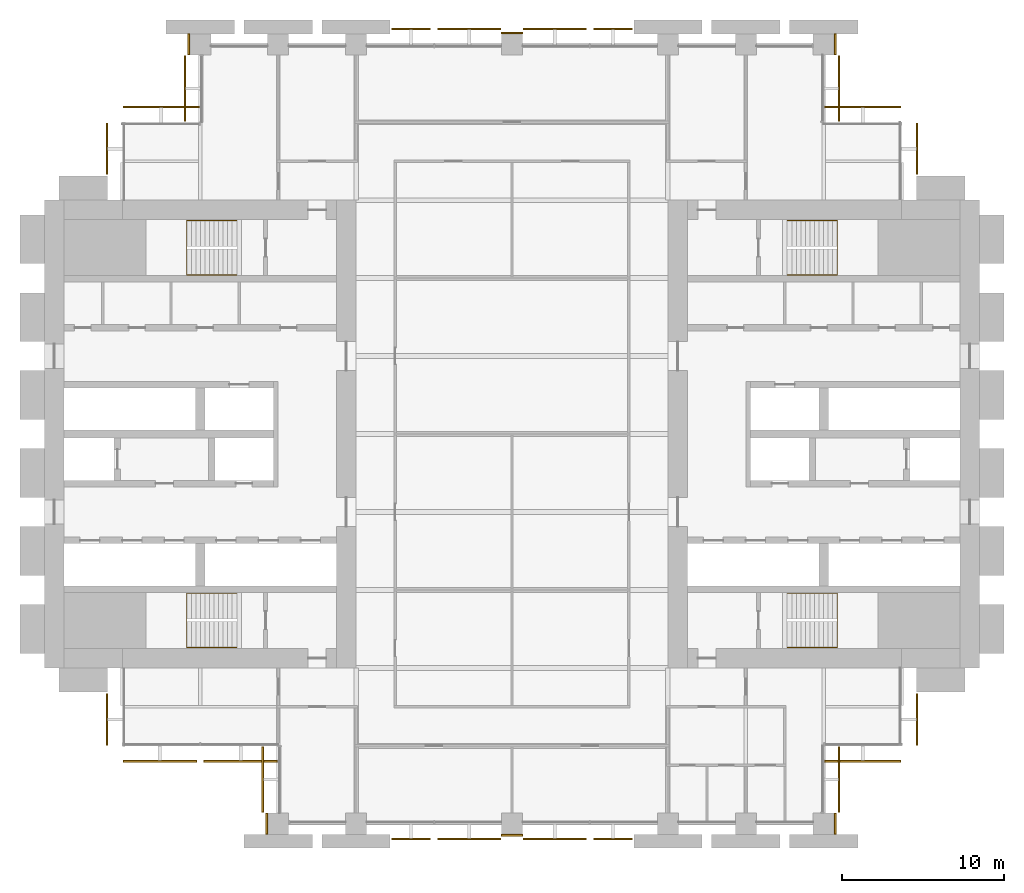
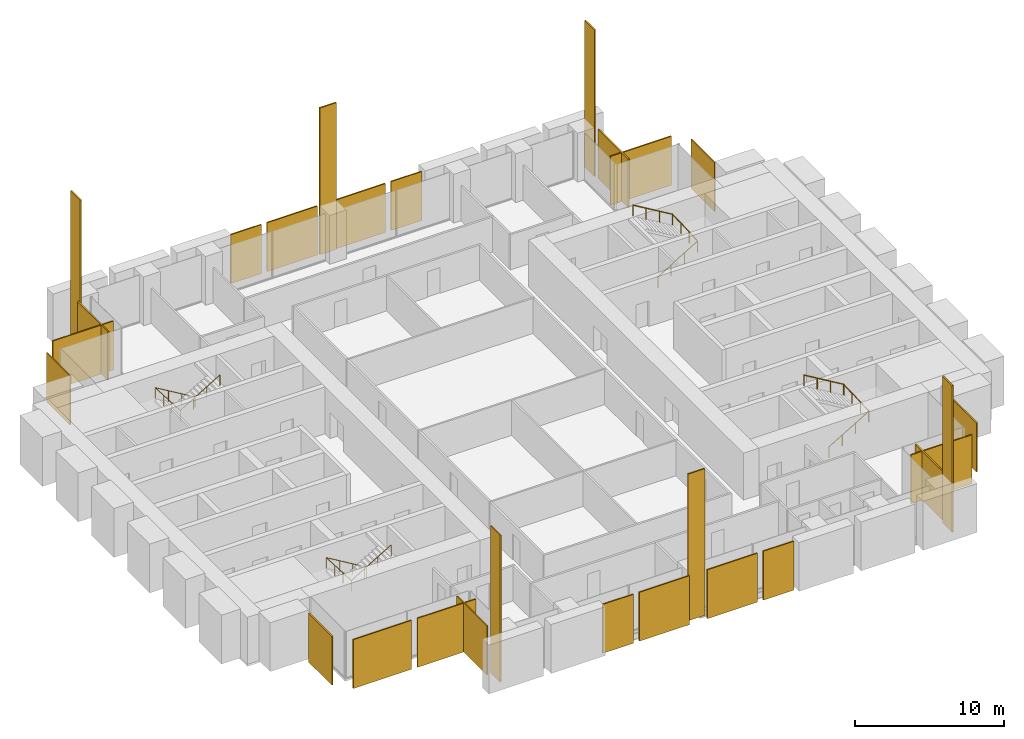
# One storey, part 14 of 14: 27 coverings, 4 railings.
"""IFC4 building model written with IfcOpenShell, lengths in metres."""

from ifc_helpers import new_model, si_unit, direction, frame, origin, origin_2d, place, context, subcontext, project, spatial, polyline, rectangle, circle, outline, extrude, material, layer, layer_set, type_object, element, save


model = new_model("IFC4")

# Units and contexts
model_context = context("Model", 3, precision=1e-05, world=origin(), true_north=direction((0.0, 1.0)))
body_context = subcontext(model_context, "Body", "Model", "MODEL_VIEW")
ifc_project = project(units=[si_unit("LENGTHUNIT", "METRE"), si_unit("AREAUNIT", "SQUARE_METRE"), si_unit("VOLUMEUNIT", "CUBIC_METRE"), si_unit("PLANEANGLEUNIT", "RADIAN"), si_unit("MASSUNIT", "GRAM", prefix="KILO")], contexts=[model_context])

# Site, building, storey
site_placement = place(None, origin())
site = spatial("IfcSite", under=ifc_project, at=site_placement, CompositionType="ELEMENT")
building_placement = place(site_placement, origin())
building = spatial("IfcBuilding", under=site, at=building_placement, Name="Baori Bourse Tower", CompositionType="ELEMENT")
storey_placement = place(building_placement, frame((0.0, 0.0, 39.0)))
storey = spatial("IfcBuildingStorey", under=building, at=storey_placement, Name="L07", CompositionType="ELEMENT", Elevation=39.0)

# Railings
ifc_material_1 = material(Name="Powder-coated steel balustrade", Category="steel")
railing_type = type_object("IfcRailingType", Name="Core stair handrail", PredefinedType="HANDRAIL", material=ifc_material_1)
railing_1_placement = place(storey_placement, frame((11.85009765625, 14.199951171875, 0.166748046875)))
element("IfcRailing", 1, at=railing_1_placement, inside=storey, type_object=railing_type, Name="L07 ST1 stair handrail 1", PredefinedType="HANDRAIL", context=body_context, shape_type="SweptSolid", body=[
    extrude(circle(Radius=0.02392578125, at=origin_2d()), frame((0.0, 0.0, 0.8759765625), z_axis=(-0.859308565015, 0.0, 0.511457515432), x_axis=(0.0, -1.0, 0.0)), (0.0, 0.0, 1.0), 3.58447265625),
    extrude(circle(Radius=0.02392578125, at=origin_2d()), frame((-3.080078125, 0.0, 2.708984375), z_axis=(0.0, -0.998763387249, 0.04971615724), x_axis=(1.0, 0.0, 0.0)), (0.0, 0.0, 1.0), 3.35400390625),
    extrude(circle(Radius=0.02392578125, at=origin_2d()), frame((-3.080078125, -3.349853515625, 2.8759765625), z_axis=(0.859308565015, 0.0, 0.511457515432), x_axis=(0.0, 1.0, 0.0)), (0.0, 0.0, 1.0), 3.58447265625),
    extrude(circle(Radius=0.02099609375, at=origin_2d()), origin(), (0.0, 0.0, 1.0), 0.851806640625),
    extrude(circle(Radius=0.02099609375, at=origin_2d()), frame((-1.026611328125, 0.0, 0.611083984375)), (0.0, 0.0, 1.0), 0.851806640625),
    extrude(circle(Radius=0.02099609375, at=origin_2d()), frame((-2.053466796875, 0.0, 1.22216796875)), (0.0, 0.0, 1.0), 0.851806640625),
    extrude(circle(Radius=0.02099609375, at=origin_2d()), frame((-3.080078125, 0.0, 1.833251953125)), (0.0, 0.0, 1.0), 0.851806640625),
    extrude(circle(Radius=0.02099609375, at=origin_2d()), frame((-3.080078125, -1.11669921875, 1.888916015625)), (0.0, 0.0, 1.0), 0.851806640625),
    extrude(circle(Radius=0.02099609375, at=origin_2d()), frame((-3.080078125, -2.233154296875, 1.9443359375)), (0.0, 0.0, 1.0), 0.851806640625),
    extrude(circle(Radius=0.02099609375, at=origin_2d()), frame((-3.080078125, -3.349853515625, 2.0)), (0.0, 0.0, 1.0), 0.851806640625),
    extrude(circle(Radius=0.02099609375, at=origin_2d()), frame((-2.053466796875, -3.349853515625, 2.611083984375)), (0.0, 0.0, 1.0), 0.851806640625),
    extrude(circle(Radius=0.02099609375, at=origin_2d()), frame((-1.026611328125, -3.349853515625, 3.22216796875)), (0.0, 0.0, 1.0), 0.851806640625),
    extrude(circle(Radius=0.02099609375, at=origin_2d()), frame((0.0, -3.349853515625, 3.833251953125)), (0.0, 0.0, 1.0), 0.851806640625),
])
railing_2_placement = place(storey_placement, frame((11.85009765625, 37.14990234375, 0.166748046875)))
element("IfcRailing", 2, at=railing_2_placement, inside=storey, type_object=railing_type, Name="L07 ST2 stair handrail 1", PredefinedType="HANDRAIL", context=body_context, shape_type="SweptSolid", body=[
    extrude(circle(Radius=0.02392578125, at=origin_2d()), frame((0.0, 0.0, 0.8759765625), z_axis=(-0.859308565015, 0.0, 0.511457515432), x_axis=(0.0, -1.0, 0.0)), (0.0, 0.0, 1.0), 3.58447265625),
    extrude(circle(Radius=0.02392578125, at=origin_2d()), frame((-3.080078125, 0.0, 2.708984375), z_axis=(0.0, -0.998763387249, 0.04971615724), x_axis=(1.0, 0.0, 0.0)), (0.0, 0.0, 1.0), 3.35400390625),
    extrude(circle(Radius=0.02392578125, at=origin_2d()), frame((-3.080078125, -3.349853515625, 2.8759765625), z_axis=(0.859308565015, 0.0, 0.511457515432), x_axis=(0.0, 1.0, 0.0)), (0.0, 0.0, 1.0), 3.58447265625),
    extrude(circle(Radius=0.02099609375, at=origin_2d()), origin(), (0.0, 0.0, 1.0), 0.851806640625),
    extrude(circle(Radius=0.02099609375, at=origin_2d()), frame((-1.026611328125, 0.0, 0.611083984375)), (0.0, 0.0, 1.0), 0.851806640625),
    extrude(circle(Radius=0.02099609375, at=origin_2d()), frame((-2.053466796875, 0.0, 1.22216796875)), (0.0, 0.0, 1.0), 0.851806640625),
    extrude(circle(Radius=0.02099609375, at=origin_2d()), frame((-3.080078125, 0.0, 1.833251953125)), (0.0, 0.0, 1.0), 0.851806640625),
    extrude(circle(Radius=0.02099609375, at=origin_2d()), frame((-3.080078125, -1.11669921875, 1.888916015625)), (0.0, 0.0, 1.0), 0.851806640625),
    extrude(circle(Radius=0.02099609375, at=origin_2d()), frame((-3.080078125, -2.233154296875, 1.9443359375)), (0.0, 0.0, 1.0), 0.851806640625),
    extrude(circle(Radius=0.02099609375, at=origin_2d()), frame((-3.080078125, -3.349853515625, 2.0)), (0.0, 0.0, 1.0), 0.851806640625),
    extrude(circle(Radius=0.02099609375, at=origin_2d()), frame((-2.053466796875, -3.349853515625, 2.611083984375)), (0.0, 0.0, 1.0), 0.851806640625),
    extrude(circle(Radius=0.02099609375, at=origin_2d()), frame((-1.026611328125, -3.349853515625, 3.22216796875)), (0.0, 0.0, 1.0), 0.851806640625),
    extrude(circle(Radius=0.02099609375, at=origin_2d()), frame((0.0, -3.349853515625, 3.833251953125)), (0.0, 0.0, 1.0), 0.851806640625),
])
railing_3_placement = place(storey_placement, frame((45.75, 10.85009765625, 0.166748046875)))
element("IfcRailing", 3, at=railing_3_placement, inside=storey, type_object=railing_type, Name="L07 ST3 stair handrail 1", PredefinedType="HANDRAIL", context=body_context, shape_type="SweptSolid", body=[
    extrude(circle(Radius=0.02392578125, at=origin_2d()), frame((0.0, 0.0, 0.8759765625), z_axis=(0.859308565015, 0.0, 0.511457515432), x_axis=(0.0, 1.0, 0.0)), (0.0, 0.0, 1.0), 3.58447265625),
    extrude(circle(Radius=0.02392578125, at=origin_2d()), frame((3.080078125, 0.0, 2.708984375), z_axis=(0.0, 0.998763387249, 0.04971615724), x_axis=(-1.0, 0.0, 0.0)), (0.0, 0.0, 1.0), 3.35400390625),
    extrude(circle(Radius=0.02392578125, at=origin_2d()), frame((3.080078125, 3.349853515625, 2.8759765625), z_axis=(-0.859308565015, 0.0, 0.511457515432), x_axis=(0.0, -1.0, 0.0)), (0.0, 0.0, 1.0), 3.58447265625),
    extrude(circle(Radius=0.02099609375, at=origin_2d()), origin(), (0.0, 0.0, 1.0), 0.851806640625),
    extrude(circle(Radius=0.02099609375, at=origin_2d()), frame((1.026611328125, 0.0, 0.611083984375)), (0.0, 0.0, 1.0), 0.851806640625),
    extrude(circle(Radius=0.02099609375, at=origin_2d()), frame((2.053466796875, 0.0, 1.22216796875)), (0.0, 0.0, 1.0), 0.851806640625),
    extrude(circle(Radius=0.02099609375, at=origin_2d()), frame((3.080078125, 0.0, 1.833251953125)), (0.0, 0.0, 1.0), 0.851806640625),
    extrude(circle(Radius=0.02099609375, at=origin_2d()), frame((3.080078125, 1.11669921875, 1.888916015625)), (0.0, 0.0, 1.0), 0.851806640625),
    extrude(circle(Radius=0.02099609375, at=origin_2d()), frame((3.080078125, 2.233154296875, 1.9443359375)), (0.0, 0.0, 1.0), 0.851806640625),
    extrude(circle(Radius=0.02099609375, at=origin_2d()), frame((3.080078125, 3.349853515625, 2.0)), (0.0, 0.0, 1.0), 0.851806640625),
    extrude(circle(Radius=0.02099609375, at=origin_2d()), frame((2.053466796875, 3.349853515625, 2.611083984375)), (0.0, 0.0, 1.0), 0.851806640625),
    extrude(circle(Radius=0.02099609375, at=origin_2d()), frame((1.026611328125, 3.349853515625, 3.22216796875)), (0.0, 0.0, 1.0), 0.851806640625),
    extrude(circle(Radius=0.02099609375, at=origin_2d()), frame((0.0, 3.349853515625, 3.833251953125)), (0.0, 0.0, 1.0), 0.851806640625),
])
railing_4_placement = place(storey_placement, frame((45.75, 33.800048828125, 0.166748046875)))
element("IfcRailing", 4, at=railing_4_placement, inside=storey, type_object=railing_type, Name="L07 ST4 stair handrail 1", PredefinedType="HANDRAIL", context=body_context, shape_type="SweptSolid", body=[
    extrude(circle(Radius=0.02392578125, at=origin_2d()), frame((0.0, 0.0, 0.8759765625), z_axis=(0.859308565015, 0.0, 0.511457515432), x_axis=(0.0, 1.0, 0.0)), (0.0, 0.0, 1.0), 3.58447265625),
    extrude(circle(Radius=0.02392578125, at=origin_2d()), frame((3.080078125, 0.0, 2.708984375), z_axis=(0.0, 0.998763387249, 0.04971615724), x_axis=(-1.0, 0.0, 0.0)), (0.0, 0.0, 1.0), 3.35400390625),
    extrude(circle(Radius=0.02392578125, at=origin_2d()), frame((3.080078125, 3.349853515625, 2.8759765625), z_axis=(-0.859308565015, 0.0, 0.511457515432), x_axis=(0.0, -1.0, 0.0)), (0.0, 0.0, 1.0), 3.58447265625),
    extrude(circle(Radius=0.02099609375, at=origin_2d()), origin(), (0.0, 0.0, 1.0), 0.851806640625),
    extrude(circle(Radius=0.02099609375, at=origin_2d()), frame((1.026611328125, 0.0, 0.611083984375)), (0.0, 0.0, 1.0), 0.851806640625),
    extrude(circle(Radius=0.02099609375, at=origin_2d()), frame((2.053466796875, 0.0, 1.22216796875)), (0.0, 0.0, 1.0), 0.851806640625),
    extrude(circle(Radius=0.02099609375, at=origin_2d()), frame((3.080078125, 0.0, 1.833251953125)), (0.0, 0.0, 1.0), 0.851806640625),
    extrude(circle(Radius=0.02099609375, at=origin_2d()), frame((3.080078125, 1.11669921875, 1.888916015625)), (0.0, 0.0, 1.0), 0.851806640625),
    extrude(circle(Radius=0.02099609375, at=origin_2d()), frame((3.080078125, 2.233154296875, 1.9443359375)), (0.0, 0.0, 1.0), 0.851806640625),
    extrude(circle(Radius=0.02099609375, at=origin_2d()), frame((3.080078125, 3.349853515625, 2.0)), (0.0, 0.0, 1.0), 0.851806640625),
    extrude(circle(Radius=0.02099609375, at=origin_2d()), frame((2.053466796875, 3.349853515625, 2.611083984375)), (0.0, 0.0, 1.0), 0.851806640625),
    extrude(circle(Radius=0.02099609375, at=origin_2d()), frame((1.026611328125, 3.349853515625, 3.22216796875)), (0.0, 0.0, 1.0), 0.851806640625),
    extrude(circle(Radius=0.02099609375, at=origin_2d()), frame((0.0, 3.349853515625, 3.833251953125)), (0.0, 0.0, 1.0), 0.851806640625),
])

# Coverings
ifc_material_2 = material(Name="Pale anodised aluminium", Category="aluminium")
ifc_layer_1 = layer(ifc_material_2, 0.10009765625)
ifc_layer_set_1 = layer_set([ifc_layer_1], Name="OS3 Outer skin screen panel")
covering_type_1 = type_object("IfcCoveringType", Name="OS3 Outer skin screen panel", PredefinedType="CLADDING", material=ifc_layer_set_1)
covering_1_placement = place(storey_placement, frame((0.0, 0.0, -0.159912109375)))
element("IfcCovering", 5, at=covering_1_placement, inside=storey, type_object=covering_type_1, Name="Outer skin screen L07 1", PredefinedType="CLADDING", context=body_context, shape_type="SweptSolid", body=[
    extrude(outline(polyline([(53.699951171875, 43.14990234375), (53.699951171875, 40.0), (53.800048828125, 40.0), (53.800048828125, 43.14990234375), (53.699951171875, 43.14990234375)])), origin(), (0.0, 0.0, 1.0), 4.0),
])
covering_2_placement = place(storey_placement, frame((0.0, 0.0, -0.159912109375)))
element("IfcCovering", 6, at=covering_2_placement, inside=storey, type_object=covering_type_1, Name="Outer skin screen L07 2", PredefinedType="CLADDING", context=body_context, shape_type="SweptSolid", body=[
    extrude(outline(polyline([(48.050048828125, 44.10009765625), (52.75, 44.10009765625), (52.75, 44.199951171875), (48.050048828125, 44.199951171875), (48.050048828125, 44.10009765625)])), origin(), (0.0, 0.0, 1.0), 4.0),
])
covering_3_placement = place(storey_placement, frame((0.0, 0.0, -0.159912109375)))
element("IfcCovering", 7, at=covering_3_placement, inside=storey, type_object=covering_type_1, Name="Outer skin screen L07 3", PredefinedType="CLADDING", context=body_context, shape_type="SweptSolid", body=[
    extrude(outline(polyline([(48.89990234375, 47.300048828125), (48.89990234375, 43.25), (49.0, 43.25), (49.0, 47.300048828125), (48.89990234375, 47.300048828125)])), origin(), (0.0, 0.0, 1.0), 4.0),
])
covering_4_placement = place(storey_placement, frame((0.0, 0.0, -0.159912109375)))
element("IfcCovering", 8, at=covering_4_placement, inside=storey, type_object=covering_type_1, Name="Outer skin screen L07 4", PredefinedType="CLADDING", context=body_context, shape_type="SweptSolid", body=[
    extrude(outline(polyline([(33.824951171875, 48.89990234375), (36.199951171875, 48.89990234375), (36.199951171875, 49.0), (33.824951171875, 49.0), (33.824951171875, 48.89990234375)])), origin(), (0.0, 0.0, 1.0), 4.0),
])
covering_5_placement = place(storey_placement, frame((0.0, 0.0, -0.159912109375)))
element("IfcCovering", 9, at=covering_5_placement, inside=storey, type_object=covering_type_1, Name="Outer skin screen L07 5", PredefinedType="CLADDING", context=body_context, shape_type="SweptSolid", body=[
    extrude(outline(polyline([(29.5, 48.89990234375), (33.375, 48.89990234375), (33.375, 49.0), (29.5, 49.0), (29.5, 48.89990234375)])), origin(), (0.0, 0.0, 1.0), 4.0),
])
covering_6_placement = place(storey_placement, frame((0.0, 0.0, -0.159912109375)))
element("IfcCovering", 10, at=covering_6_placement, inside=storey, type_object=covering_type_1, Name="Outer skin screen L07 6", PredefinedType="CLADDING", context=body_context, shape_type="SweptSolid", body=[
    extrude(outline(polyline([(24.22509765625, 48.89990234375), (28.10009765625, 48.89990234375), (28.10009765625, 49.0), (24.22509765625, 49.0), (24.22509765625, 48.89990234375)])), origin(), (0.0, 0.0, 1.0), 4.0),
])
covering_7_placement = place(storey_placement, frame((0.0, 0.0, -0.159912109375)))
element("IfcCovering", 11, at=covering_7_placement, inside=storey, type_object=covering_type_1, Name="Outer skin screen L07 7", PredefinedType="CLADDING", context=body_context, shape_type="SweptSolid", body=[
    extrude(outline(polyline([(21.39990234375, 48.89990234375), (23.77490234375, 48.89990234375), (23.77490234375, 49.0), (21.39990234375, 49.0), (21.39990234375, 48.89990234375)])), origin(), (0.0, 0.0, 1.0), 4.0),
])
covering_8_placement = place(storey_placement, frame((0.0, 0.0, -0.159912109375)))
element("IfcCovering", 12, at=covering_8_placement, inside=storey, type_object=covering_type_1, Name="Outer skin screen L07 8", PredefinedType="CLADDING", context=body_context, shape_type="SweptSolid", body=[
    extrude(outline(polyline([(8.699951171875, 43.25), (8.699951171875, 47.300048828125), (8.60009765625, 47.300048828125), (8.60009765625, 43.25), (8.699951171875, 43.25)])), origin(), (0.0, 0.0, 1.0), 4.0),
])
covering_9_placement = place(storey_placement, frame((0.0, 0.0, -0.159912109375)))
element("IfcCovering", 13, at=covering_9_placement, inside=storey, type_object=covering_type_1, Name="Outer skin screen L07 9", PredefinedType="CLADDING", context=body_context, shape_type="SweptSolid", body=[
    extrude(outline(polyline([(4.85009765625, 44.10009765625), (9.550048828125, 44.10009765625), (9.550048828125, 44.199951171875), (4.85009765625, 44.199951171875), (4.85009765625, 44.10009765625)])), origin(), (0.0, 0.0, 1.0), 4.0),
])
covering_10_placement = place(storey_placement, frame((0.0, 0.0, -0.159912109375)))
element("IfcCovering", 14, at=covering_10_placement, inside=storey, type_object=covering_type_1, Name="Outer skin screen L07 10", PredefinedType="CLADDING", context=body_context, shape_type="SweptSolid", body=[
    extrude(outline(polyline([(3.89990234375, 40.0), (3.89990234375, 43.14990234375), (3.800048828125, 43.14990234375), (3.800048828125, 40.0), (3.89990234375, 40.0), (3.89990234375, 40.0)])), origin(), (0.0, 0.0, 1.0), 4.0),
])
covering_11_placement = place(storey_placement, frame((0.0, 0.0, -0.159912109375)))
element("IfcCovering", 15, at=covering_11_placement, inside=storey, type_object=covering_type_1, Name="Outer skin screen L07 11", PredefinedType="CLADDING", context=body_context, shape_type="SweptSolid", body=[
    extrude(outline(polyline([(3.89990234375, 4.85009765625), (3.89990234375, 8.0), (3.89990234375, 8.0), (3.800048828125, 8.0), (3.800048828125, 4.85009765625), (3.89990234375, 4.85009765625)])), origin(), (0.0, 0.0, 1.0), 4.0),
])
covering_12_placement = place(storey_placement, frame((0.0, 0.0, -0.159912109375)))
element("IfcCovering", 16, at=covering_12_placement, inside=storey, type_object=covering_type_1, Name="Outer skin screen L07 12", PredefinedType="CLADDING", context=body_context, shape_type="SweptSolid", body=[
    extrude(outline(polyline([(9.375, 3.89990234375), (4.85009765625, 3.89990234375), (4.85009765625, 3.800048828125), (9.375, 3.800048828125), (9.375, 3.89990234375)])), origin(), (0.0, 0.0, 1.0), 4.0),
])
covering_13_placement = place(storey_placement, frame((0.0, 0.0, -0.159912109375)))
element("IfcCovering", 17, at=covering_13_placement, inside=storey, type_object=covering_type_1, Name="Outer skin screen L07 13", PredefinedType="CLADDING", context=body_context, shape_type="SweptSolid", body=[
    extrude(outline(polyline([(14.35009765625, 3.89990234375), (9.824951171875, 3.89990234375), (9.824951171875, 3.800048828125), (14.35009765625, 3.800048828125), (14.35009765625, 3.89990234375)])), origin(), (0.0, 0.0, 1.0), 4.0),
])
covering_14_placement = place(storey_placement, frame((0.0, 0.0, -0.159912109375)))
element("IfcCovering", 18, at=covering_14_placement, inside=storey, type_object=covering_type_1, Name="Outer skin screen L07 14", PredefinedType="CLADDING", context=body_context, shape_type="SweptSolid", body=[
    extrude(outline(polyline([(13.5, 0.699951171875), (13.5, 4.75), (13.39990234375, 4.75), (13.39990234375, 0.699951171875), (13.5, 0.699951171875)])), origin(), (0.0, 0.0, 1.0), 4.0),
])
covering_15_placement = place(storey_placement, frame((0.0, 0.0, -0.159912109375)))
element("IfcCovering", 19, at=covering_15_placement, inside=storey, type_object=covering_type_1, Name="Outer skin screen L07 15", PredefinedType="CLADDING", context=body_context, shape_type="SweptSolid", body=[
    extrude(outline(polyline([(23.77490234375, -0.89990234375), (21.39990234375, -0.89990234375), (21.39990234375, -1.0), (23.77490234375, -1.0), (23.77490234375, -0.89990234375)])), origin(), (0.0, 0.0, 1.0), 4.0),
])
covering_16_placement = place(storey_placement, frame((0.0, 0.0, -0.159912109375)))
element("IfcCovering", 20, at=covering_16_placement, inside=storey, type_object=covering_type_1, Name="Outer skin screen L07 16", PredefinedType="CLADDING", context=body_context, shape_type="SweptSolid", body=[
    extrude(outline(polyline([(28.10009765625, -0.89990234375), (24.22509765625, -0.89990234375), (24.22509765625, -1.0), (28.10009765625, -1.0), (28.10009765625, -0.89990234375)])), origin(), (0.0, 0.0, 1.0), 4.0),
])
covering_17_placement = place(storey_placement, frame((0.0, 0.0, -0.159912109375)))
element("IfcCovering", 21, at=covering_17_placement, inside=storey, type_object=covering_type_1, Name="Outer skin screen L07 17", PredefinedType="CLADDING", context=body_context, shape_type="SweptSolid", body=[
    extrude(outline(polyline([(33.375, -0.89990234375), (29.5, -0.89990234375), (29.5, -1.0), (33.375, -1.0), (33.375, -0.89990234375)])), origin(), (0.0, 0.0, 1.0), 4.0),
])
covering_18_placement = place(storey_placement, frame((0.0, 0.0, -0.159912109375)))
element("IfcCovering", 22, at=covering_18_placement, inside=storey, type_object=covering_type_1, Name="Outer skin screen L07 18", PredefinedType="CLADDING", context=body_context, shape_type="SweptSolid", body=[
    extrude(outline(polyline([(36.199951171875, -0.89990234375), (33.824951171875, -0.89990234375), (33.824951171875, -1.0), (36.199951171875, -1.0), (36.199951171875, -0.89990234375)])), origin(), (0.0, 0.0, 1.0), 4.0),
])
covering_19_placement = place(storey_placement, frame((0.0, 0.0, -0.159912109375)))
element("IfcCovering", 23, at=covering_19_placement, inside=storey, type_object=covering_type_1, Name="Outer skin screen L07 19", PredefinedType="CLADDING", context=body_context, shape_type="SweptSolid", body=[
    extrude(outline(polyline([(48.89990234375, 4.75), (48.89990234375, 0.699951171875), (49.0, 0.699951171875), (49.0, 4.75), (48.89990234375, 4.75)])), origin(), (0.0, 0.0, 1.0), 4.0),
])
covering_20_placement = place(storey_placement, frame((0.0, 0.0, -0.159912109375)))
element("IfcCovering", 24, at=covering_20_placement, inside=storey, type_object=covering_type_1, Name="Outer skin screen L07 20", PredefinedType="CLADDING", context=body_context, shape_type="SweptSolid", body=[
    extrude(outline(polyline([(52.75, 3.89990234375), (48.050048828125, 3.89990234375), (48.050048828125, 3.800048828125), (52.75, 3.800048828125), (52.75, 3.89990234375)])), origin(), (0.0, 0.0, 1.0), 4.0),
])
covering_21_placement = place(storey_placement, frame((0.0, 0.0, -0.159912109375)))
element("IfcCovering", 25, at=covering_21_placement, inside=storey, type_object=covering_type_1, Name="Outer skin screen L07 21", PredefinedType="CLADDING", context=body_context, shape_type="SweptSolid", body=[
    extrude(outline(polyline([(53.699951171875, 8.0), (53.699951171875, 4.85009765625), (53.800048828125, 4.85009765625), (53.800048828125, 8.0), (53.699951171875, 8.0)])), origin(), (0.0, 0.0, 1.0), 4.0),
])
ifc_material_3 = material(Name="Face brick", Category="masonry")
ifc_layer_2 = layer(ifc_material_3, 0.110107421875)
ifc_layer_set_2 = layer_set([ifc_layer_2], Name="PC1 Brick pier facing")
covering_type_2 = type_object("IfcCoveringType", Name="PC1 Brick pier facing", PredefinedType="CLADDING", material=ifc_layer_set_2)
covering_22_placement = place(storey_placement, frame((13.695068359375, 0.0, 0.0), z_axis=(0.0, 0.0, 1.0), x_axis=(1.0, 0.0, 0.0)))
element("IfcCovering", 26, at=covering_22_placement, inside=storey, type_object=covering_type_2, Name="Brick pier facing L07 1", PredefinedType="CLADDING", context=body_context, shape_type="SweptSolid", body=[
    extrude(rectangle(XDim=0.110107421875, YDim=1.300048828125, at=origin_2d()), origin(), (0.0, 0.0, 1.0), 12.0),
])
covering_23_placement = place(storey_placement, frame((28.800048828125, -0.705078125, 0.0), z_axis=(0.0, 0.0, 1.0), x_axis=(1.0, 0.0, 0.0)))
element("IfcCovering", 27, at=covering_23_placement, inside=storey, type_object=covering_type_2, Name="Brick pier facing L07 2", PredefinedType="CLADDING", context=body_context, shape_type="SweptSolid", body=[
    extrude(rectangle(XDim=1.300048828125, YDim=0.110107421875, at=origin_2d()), origin(), (0.0, 0.0, 1.0), 12.0),
])
for number, where, z_axis, x_axis, name in (
    (28, (48.705078125, 0.0, 0.0), (0.0, 0.0, 1.0), (1.0, 0.0, 0.0), "Brick pier facing L07 3"),
    (29, (8.89501953125, 48.0, 0.0), (0.0, 0.0, 1.0), (1.0, 0.0, 0.0), "Brick pier facing L07 4"),
):
    element("IfcCovering", number, at=place(storey_placement, frame(where, z_axis=z_axis, x_axis=x_axis)), inside=storey, type_object=covering_type_2, Name=name, PredefinedType="CLADDING", context=body_context, shape_type="SweptSolid", body=[
        extrude(rectangle(XDim=0.110107421875, YDim=1.300048828125, at=origin_2d()), origin(), (0.0, 0.0, 1.0), 12.0),
    ])
covering_24_placement = place(storey_placement, frame((28.800048828125, 48.705078125, 0.0), z_axis=(0.0, 0.0, 1.0), x_axis=(1.0, 0.0, 0.0)))
element("IfcCovering", 30, at=covering_24_placement, inside=storey, type_object=covering_type_2, Name="Brick pier facing L07 5", PredefinedType="CLADDING", context=body_context, shape_type="SweptSolid", body=[
    extrude(rectangle(XDim=1.300048828125, YDim=0.110107421875, at=origin_2d()), origin(), (0.0, 0.0, 1.0), 12.0),
])
covering_25_placement = place(storey_placement, frame((48.705078125, 48.0, 0.0), z_axis=(0.0, 0.0, 1.0), x_axis=(1.0, 0.0, 0.0)))
element("IfcCovering", 31, at=covering_25_placement, inside=storey, type_object=covering_type_2, Name="Brick pier facing L07 6", PredefinedType="CLADDING", context=body_context, shape_type="SweptSolid", body=[
    extrude(rectangle(XDim=0.110107421875, YDim=1.300048828125, at=origin_2d()), origin(), (0.0, 0.0, 1.0), 12.0),
])

save(model, "model.ifc")
